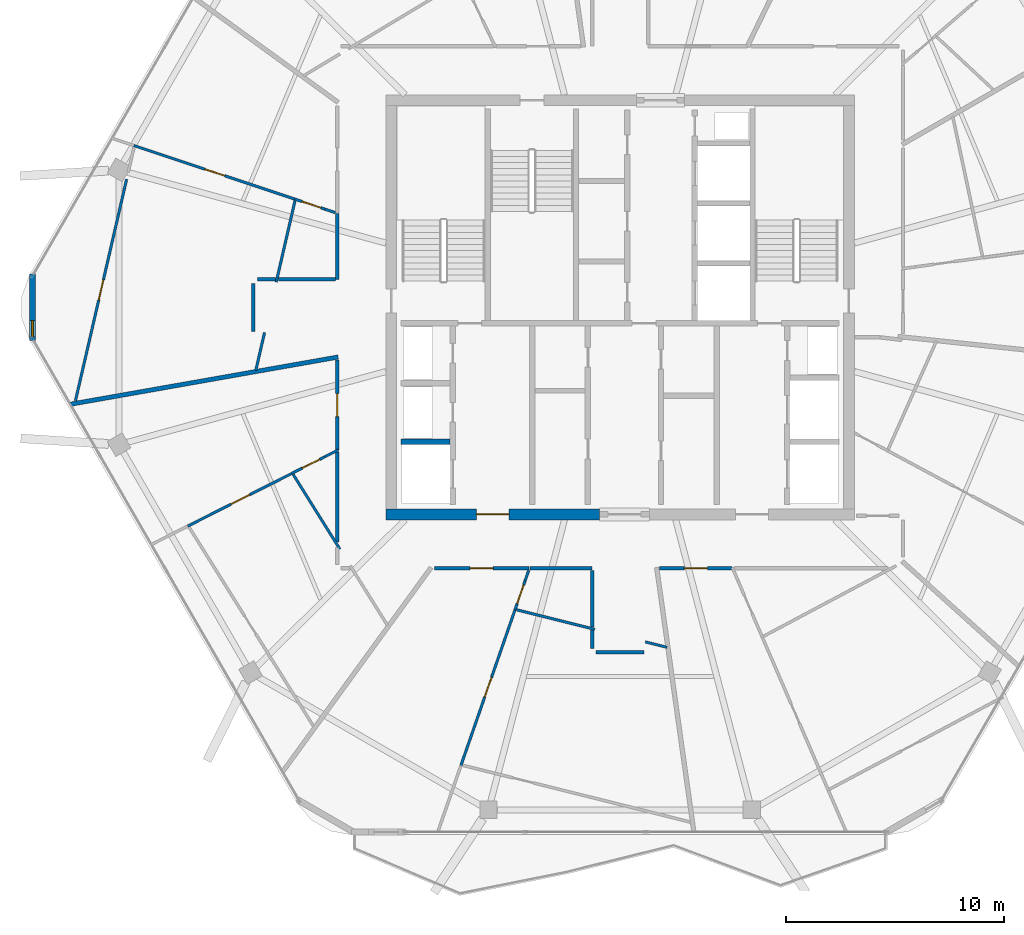
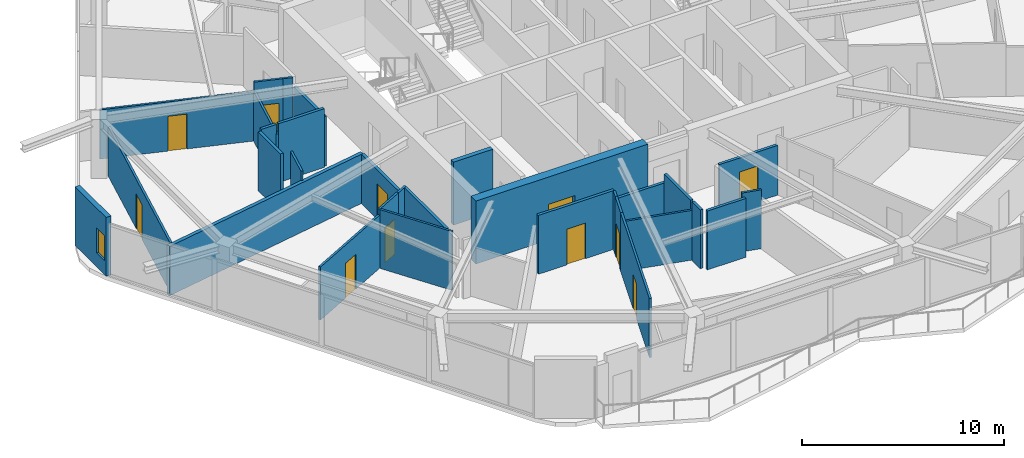
# One storey, part 14 of 20: 31 walls, 11 doors, 1 window, 12 openings.
"""IFC4 building model written with IfcOpenShell, lengths in metres."""

from ifc_helpers import new_model, si_unit, direction, frame, frame_2d, origin, place, context, subcontext, project, spatial, rectangle, extrude, material, layer, layer_set, type_object, element, fill, save


model = new_model("IFC4")

# Units and contexts
model_context = context("Model", 3, precision=1e-05, world=origin(), true_north=direction((0.0, 1.0)))
body_context = subcontext(model_context, "Body", "Model", "MODEL_VIEW")
ifc_project = project(units=[si_unit("LENGTHUNIT", "METRE"), si_unit("AREAUNIT", "SQUARE_METRE"), si_unit("VOLUMEUNIT", "CUBIC_METRE"), si_unit("PLANEANGLEUNIT", "RADIAN"), si_unit("MASSUNIT", "GRAM", prefix="KILO")], contexts=[model_context])

# Site, building, storey
site_placement = place(None, origin())
site = spatial("IfcSite", under=ifc_project, at=site_placement, CompositionType="ELEMENT")
building_placement = place(site_placement, origin())
building = spatial("IfcBuilding", under=site, at=building_placement, Name="Zuhravey Tower", CompositionType="ELEMENT")
storey_placement = place(building_placement, frame((0.0, 0.0, 312.0)))
storey = spatial("IfcBuildingStorey", under=building, at=storey_placement, Name="L79", CompositionType="ELEMENT", Elevation=312.0)

# Wall, opening, door
ifc_material_1 = material(Name="Concrete C50/60", Category="concrete")
ifc_layer_1 = layer(ifc_material_1, 0.5)
ifc_layer_set_1 = layer_set([ifc_layer_1], Name="Concrete C50/60")
wall_type_1 = type_object("IfcWallType", Name="Core Shear Wall 500", PredefinedType="SHEAR", material=ifc_layer_set_1)
wall_1_placement = place(storey_placement, frame((25.25, 22.5, 0.0), z_axis=(0.0, 0.0, 1.0), x_axis=(1.0, 0.0, 0.0)))
wall_1 = element("IfcWall", 1, at=wall_1_placement, inside=storey, type_object=wall_type_1, Name="L79 South-West Core Shear Wall CW50", PredefinedType="SHEAR", context=body_context, shape_type="SweptSolid", body=[
    extrude(rectangle(XDim=9.800048828125, YDim=0.5, at=frame_2d((4.89990234375, 0.0))), origin(), (0.0, 0.0, 1.0), 3.800048828125),
])
opening_1_placement = place(wall_1_placement, frame((4.14990234375, 0.0, 0.0)))
opening_1 = element("IfcOpeningElement", 2, at=opening_1_placement, cuts=wall_1, Name="Opening FFD1", PredefinedType="OPENING", context=body_context, shape_type="SweptSolid", body=[
    extrude(rectangle(XDim=1.5, YDim=2.14990234375, at=frame_2d((0.75, 1.074951171875))), frame((0.0, 0.261962890625, 0.0), z_axis=(0.0, -1.0, 0.0), x_axis=(1.0, 0.0, 0.0)), (0.0, 0.0, 1.0), 0.52392578125),
])
ifc_material_2 = material(Name="Galvanised fire-rated steel leaf", Category="steel")
door_type_1 = type_object("IfcDoorType", Name="Firefighting Lobby Double Door 1500x2150", OperationType="DOUBLE_DOOR_SINGLE_SWING", PredefinedType="DOOR", material=ifc_material_2)
door_1_placement = place(opening_1_placement, origin())
door_1 = element("IfcDoor", 3, at=door_1_placement, inside=storey, type_object=door_type_1, Name="L79 Firefighting Lobby West Door", OperationType="DOUBLE_DOOR_SINGLE_SWING", OverallHeight=2.14990234375, OverallWidth=1.5, PredefinedType="DOOR", context=body_context, shape_type="SweptSolid", body=[
    extrude(rectangle(XDim=1.5, YDim=2.14990234375, at=frame_2d((0.75, 1.074951171875))), frame((0.0, 0.02490234375, 0.0), z_axis=(0.0, -1.0, 0.0), x_axis=(1.0, 0.0, 0.0)), (0.0, 0.0, 1.0), 0.050048828125),
])
fill(opening_1, door_1)

ifc_material_3 = material(Name="Gypsum fire-rated stud partition")
ifc_layer_2 = layer(ifc_material_3, 0.159912109375)
ifc_layer_set_2 = layer_set([ifc_layer_2], Name="Gypsum fire-rated stud partition")
wall_type_2 = type_object("IfcWallType", Name="Corridor Fire Partition 160", PredefinedType="PARTITIONING", material=ifc_layer_set_2)
wall_2_placement = place(storey_placement, frame((23.02001953125, 29.573974609375, 0.0), z_axis=(0.0, 0.0, 1.0), x_axis=(0.0, -1.0, 0.0)))
wall_2 = element("IfcWall", 4, at=wall_2_placement, inside=storey, type_object=wall_type_2, Name="L79 IW16 Partition 031", PredefinedType="PARTITIONING", context=body_context, shape_type="SweptSolid", body=[
    extrude(rectangle(XDim=4.11962890625, YDim=0.159912109375, at=frame_2d((2.059814453125, 0.0))), origin(), (0.0, 0.0, 1.0), 3.0),
])
opening_2_placement = place(wall_2_placement, frame((1.534912109375, 0.0, 0.0)))
opening_2 = element("IfcOpeningElement", 5, at=opening_2_placement, cuts=wall_2, Name="Opening APD1", PredefinedType="OPENING", context=body_context, shape_type="SweptSolid", body=[
    extrude(rectangle(XDim=1.050048828125, YDim=2.14990234375, at=frame_2d((0.52490234375, 1.074951171875))), frame((0.0, 0.092041015625, 0.0), z_axis=(0.0, -1.0, 0.0), x_axis=(1.0, 0.0, 0.0)), (0.0, 0.0, 1.0), 0.183837890625),
])
ifc_material_4 = material(Name="Solid-core oak fire-rated leaf")
door_type_2 = type_object("IfcDoorType", Name="Apartment Entrance Fire Door 1050x2150", OperationType="NOTDEFINED", PredefinedType="DOOR", material=ifc_material_4)
door_2_placement = place(opening_2_placement, frame((1.050048828125, 0.0, 0.0), z_axis=(0.0, 0.0, 1.0), x_axis=(-1.0, 0.0, 0.0)))
door_2 = element("IfcDoor", 6, at=door_2_placement, inside=storey, type_object=door_type_2, Name="L79 Door 031.1", OperationType="SINGLE_SWING_LEFT", OverallHeight=2.14990234375, OverallWidth=1.050048828125, PredefinedType="DOOR", context=body_context, shape_type="SweptSolid", body=[
    extrude(rectangle(XDim=1.050048828125, YDim=2.14990234375, at=frame_2d((0.52490234375, 1.074951171875))), frame((0.0, 0.02490234375, 0.0), z_axis=(0.0, -1.0, 0.0), x_axis=(1.0, 0.0, 0.0)), (0.0, 0.0, 1.0), 0.050048828125),
])
fill(opening_2, door_2)

wall_3_placement = place(storey_placement, frame((27.479248046875, 20.02001953125, 0.0), z_axis=(0.0, 0.0, 1.0), x_axis=(1.0, 0.0, 0.0)))
wall_3 = element("IfcWall", 7, at=wall_3_placement, inside=storey, type_object=wall_type_2, Name="L79 IW16 Partition 035", PredefinedType="PARTITIONING", context=body_context, shape_type="SweptSolid", body=[
    extrude(rectangle(XDim=4.337158203125, YDim=0.159912109375, at=frame_2d((2.16845703125, 0.0))), origin(), (0.0, 0.0, 1.0), 3.550048828125),
])
opening_3_placement = place(wall_3_placement, frame((1.6435546875, 0.0, 0.0)))
opening_3 = element("IfcOpeningElement", 8, at=opening_3_placement, cuts=wall_3, Name="Opening APD1", PredefinedType="OPENING", context=body_context, shape_type="SweptSolid", body=[
    extrude(rectangle(XDim=1.050048828125, YDim=2.14990234375, at=frame_2d((0.52490234375, 1.074951171875))), frame((0.0, 0.092041015625, 0.0), z_axis=(0.0, -1.0, 0.0), x_axis=(1.0, 0.0, 0.0)), (0.0, 0.0, 1.0), 0.183837890625),
])
door_3_placement = place(opening_3_placement, frame((1.050048828125, 0.0, 0.0), z_axis=(0.0, 0.0, 1.0), x_axis=(-1.0, 0.0, 0.0)))
door_3 = element("IfcDoor", 9, at=door_3_placement, inside=storey, type_object=door_type_2, Name="L79 Door 035.1", OperationType="SINGLE_SWING_LEFT", OverallHeight=2.14990234375, OverallWidth=1.050048828125, PredefinedType="DOOR", context=body_context, shape_type="SweptSolid", body=[
    extrude(rectangle(XDim=1.050048828125, YDim=2.14990234375, at=frame_2d((0.52490234375, 1.074951171875))), frame((0.0, 0.02490234375, 0.0), z_axis=(0.0, -1.0, 0.0), x_axis=(1.0, 0.0, 0.0)), (0.0, 0.0, 1.0), 0.050048828125),
])
fill(opening_3, door_3)

wall_4_placement = place(storey_placement, frame((37.810546875, 20.02001953125, 0.0), z_axis=(0.0, 0.0, 1.0), x_axis=(1.0, 0.0, 0.0)))
wall_4 = element("IfcWall", 10, at=wall_4_placement, inside=storey, type_object=wall_type_2, Name="L79 IW16 Partition 039", PredefinedType="PARTITIONING", context=body_context, shape_type="SweptSolid", body=[
    extrude(rectangle(XDim=3.33203125, YDim=0.159912109375, at=frame_2d((1.666015625, 0.0))), origin(), (0.0, 0.0, 1.0), 3.0),
])
opening_4_placement = place(wall_4_placement, frame((1.14111328125, 0.0, 0.0)))
opening_4 = element("IfcOpeningElement", 11, at=opening_4_placement, cuts=wall_4, Name="Opening APD1", PredefinedType="OPENING", context=body_context, shape_type="SweptSolid", body=[
    extrude(rectangle(XDim=1.050048828125, YDim=2.14990234375, at=frame_2d((0.52490234375, 1.074951171875))), frame((0.0, 0.092041015625, 0.0), z_axis=(0.0, -1.0, 0.0), x_axis=(1.0, 0.0, 0.0)), (0.0, 0.0, 1.0), 0.183837890625),
])
door_4_placement = place(opening_4_placement, frame((1.050048828125, 0.0, 0.0), z_axis=(0.0, 0.0, 1.0), x_axis=(-1.0, 0.0, 0.0)))
door_4 = element("IfcDoor", 12, at=door_4_placement, inside=storey, type_object=door_type_2, Name="L79 Door 039.1", OperationType="SINGLE_SWING_LEFT", OverallHeight=2.14990234375, OverallWidth=1.050048828125, PredefinedType="DOOR", context=body_context, shape_type="SweptSolid", body=[
    extrude(rectangle(XDim=1.050048828125, YDim=2.14990234375, at=frame_2d((0.52490234375, 1.074951171875))), frame((0.0, 0.02490234375, 0.0), z_axis=(0.0, -1.0, 0.0), x_axis=(1.0, 0.0, 0.0)), (0.0, 0.0, 1.0), 0.050048828125),
])
fill(opening_4, door_4)

# Walls
wall_5_placement = place(storey_placement, frame((23.02001953125, 36.296875, 0.0), z_axis=(0.0, 0.0, 1.0), x_axis=(0.0, -1.0, 0.0)))
element("IfcWall", 13, at=wall_5_placement, inside=storey, type_object=wall_type_2, Name="L79 IW16 Partition 096", PredefinedType="PARTITIONING", context=body_context, shape_type="SweptSolid", body=[
    extrude(rectangle(XDim=3.016845703125, YDim=0.159912109375, at=frame_2d((1.50830078125, 0.0))), origin(), (0.0, 0.0, 1.0), 3.0),
])
wall_6_placement = place(storey_placement, frame((22.931884765625, 33.280029296875, 0.0), z_axis=(0.0, 0.0, 1.0), x_axis=(-1.0, 0.0, 0.0)))
element("IfcWall", 14, at=wall_6_placement, inside=storey, type_object=wall_type_2, Name="L79 IW16 Partition 097", PredefinedType="PARTITIONING", context=body_context, shape_type="SweptSolid", body=[
    extrude(rectangle(XDim=2.6142578125, YDim=0.159912109375, at=frame_2d((1.30712890625, 0.0))), origin(), (0.0, 0.0, 1.0), 3.550048828125),
])
wall_7_placement = place(storey_placement, frame((19.169921875, 33.10009765625, 0.0), z_axis=(0.0, 0.0, 1.0), x_axis=(0.0, -1.0, 0.0)))
element("IfcWall", 15, at=wall_7_placement, inside=storey, type_object=wall_type_2, Name="L79 IW16 Partition 098", PredefinedType="PARTITIONING", context=body_context, shape_type="SweptSolid", body=[
    extrude(rectangle(XDim=2.2001953125, YDim=0.159912109375, at=frame_2d((1.10009765625, 0.0))), origin(), (0.0, 0.0, 1.0), 3.550048828125),
])
wall_8_placement = place(storey_placement, frame((20.177978515625, 33.280029296875, 0.0), z_axis=(0.0, 0.0, 1.0), x_axis=(-1.0, 0.0, 0.0)))
element("IfcWall", 16, at=wall_8_placement, inside=storey, type_object=wall_type_2, Name="L79 IW16 Partition 099", PredefinedType="PARTITIONING", context=body_context, shape_type="SweptSolid", body=[
    extrude(rectangle(XDim=0.827880859375, YDim=0.159912109375, at=frame_2d((0.4140625, 0.0))), origin(), (0.0, 0.0, 1.0), 3.550048828125),
])
wall_9_placement = place(storey_placement, frame((23.02001953125, 25.355712890625, 0.0), z_axis=(0.0, 0.0, 1.0), x_axis=(0.0, -1.0, 0.0)))
element("IfcWall", 17, at=wall_9_placement, inside=storey, type_object=wall_type_2, Name="L79 IW16 Partition 100", PredefinedType="PARTITIONING", context=body_context, shape_type="SweptSolid", body=[
    extrude(rectangle(XDim=4.131103515625, YDim=0.159912109375, at=frame_2d((2.0654296875, 0.0))), origin(), (0.0, 0.0, 1.0), 3.550048828125),
])
wall_10_placement = place(storey_placement, frame((31.858642578125, 20.02001953125, 0.0), z_axis=(0.0, 0.0, 1.0), x_axis=(1.0, 0.0, 0.0)))
element("IfcWall", 18, at=wall_10_placement, inside=storey, type_object=wall_type_2, Name="L79 IW16 Partition 103", PredefinedType="PARTITIONING", context=body_context, shape_type="SweptSolid", body=[
    extrude(rectangle(XDim=2.861328125, YDim=0.159912109375, at=frame_2d((1.4306640625, 0.0))), origin(), (0.0, 0.0, 1.0), 3.0),
])
wall_11_placement = place(storey_placement, frame((34.719970703125, 19.931884765625, 0.0), z_axis=(0.0, 0.0, 1.0), x_axis=(0.0, -1.0, 0.0)))
element("IfcWall", 19, at=wall_11_placement, inside=storey, type_object=wall_type_2, Name="L79 IW16 Partition 104", PredefinedType="PARTITIONING", context=body_context, shape_type="SweptSolid", body=[
    extrude(rectangle(XDim=2.60693359375, YDim=0.159912109375, at=frame_2d((1.303466796875, 0.0))), origin(), (0.0, 0.0, 1.0), 3.550048828125),
])
wall_12_placement = place(storey_placement, frame((34.89990234375, 16.169921875, 0.0), z_axis=(0.0, 0.0, 1.0), x_axis=(1.0, 0.0, 0.0)))
element("IfcWall", 20, at=wall_12_placement, inside=storey, type_object=wall_type_2, Name="L79 IW16 Partition 105", PredefinedType="PARTITIONING", context=body_context, shape_type="SweptSolid", body=[
    extrude(rectangle(XDim=2.2001953125, YDim=0.159912109375, at=frame_2d((1.10009765625, 0.0))), origin(), (0.0, 0.0, 1.0), 3.550048828125),
])
wall_13_placement = place(storey_placement, frame((34.719970703125, 17.184814453125, 0.0), z_axis=(0.0, 0.0, 1.0), x_axis=(0.0, -1.0, 0.0)))
element("IfcWall", 21, at=wall_13_placement, inside=storey, type_object=wall_type_2, Name="L79 IW16 Partition 106", PredefinedType="PARTITIONING", context=body_context, shape_type="SweptSolid", body=[
    extrude(rectangle(XDim=0.834716796875, YDim=0.159912109375, at=frame_2d((0.41748046875, 0.0))), origin(), (0.0, 0.0, 1.0), 3.550048828125),
])

# Wall, opening, window
ifc_material_5 = material(Name="Precast concrete C40/50", Category="concrete")
ifc_layer_3 = layer(ifc_material_5, 0.280029296875)
ifc_layer_set_3 = layer_set([ifc_layer_3], Name="Precast concrete C40/50")
wall_type_3 = type_object("IfcWallType", Name="Crown Architectural Wall 280", PredefinedType="SOLIDWALL", material=ifc_layer_set_3)
wall_14_placement = place(storey_placement, frame((9.031494140625, 30.467529296875, 0.0), z_axis=(0.0, 0.0, 1.0), x_axis=(0.0, 1.0, 0.0)))
wall_14 = element("IfcWall", 22, at=wall_14_placement, inside=storey, type_object=wall_type_3, Name="L79 Rounded Corner Closure Wall EW28-06", PredefinedType="SOLIDWALL", context=body_context, shape_type="SweptSolid", body=[
    extrude(rectangle(XDim=3.06494140625, YDim=0.280029296875, at=frame_2d((1.532470703125, 0.0))), origin(), (0.0, 0.0, 1.0), 3.550048828125),
])
opening_5_placement = place(wall_14_placement, frame((0.1728515625, 0.0, 0.85009765625)))
opening_5 = element("IfcOpeningElement", 23, at=opening_5_placement, cuts=wall_14, Name="Opening WN5", PredefinedType="OPENING", context=body_context, shape_type="SweptSolid", body=[
    extrude(rectangle(XDim=0.75, YDim=1.5, at=frame_2d((0.375, 0.75))), frame((0.0, 0.152099609375, 0.0), z_axis=(0.0, -1.0, 0.0), x_axis=(1.0, 0.0, 0.0)), (0.0, 0.0, 1.0), 0.303955078125),
])
ifc_material_6 = material(Name="Thermally broken aluminium and triple low-E glass", Category="aluminium")
window_type = type_object("IfcWindowType", Name="Residential Corner Casement Window 750x1500", PartitioningType="SINGLE_PANEL", PredefinedType="WINDOW", material=ifc_material_6)
window_placement = place(opening_5_placement, origin())
window = element("IfcWindow", 24, at=window_placement, inside=storey, type_object=window_type, Name="L79 Corner Casement Window WN5-06.1", OverallHeight=1.5, OverallWidth=0.75, PartitioningType="SINGLE_PANEL", PredefinedType="WINDOW", context=body_context, shape_type="SweptSolid", body=[
    extrude(rectangle(XDim=0.75, YDim=1.5, at=frame_2d((0.375, 0.75))), frame((0.0, 0.030029296875, 0.0), z_axis=(0.0, -1.0, 0.0), x_axis=(1.0, 0.0, 0.0)), (0.0, 0.0, 1.0), 0.06005859375),
])
fill(opening_5, window)

# Walls
ifc_layer_4 = layer(ifc_material_1, 0.25)
ifc_layer_set_4 = layer_set([ifc_layer_4], Name="Concrete C50/60")
wall_type_4 = type_object("IfcWallType", Name="Firefighting Shaft & Stair Wall 250", PredefinedType="SOLIDWALL", material=ifc_layer_set_4)
wall_15_placement = place(storey_placement, frame((25.949951171875, 25.824951171875, 0.0), z_axis=(0.0, 0.0, 1.0), x_axis=(1.0, 0.0, 0.0)))
element("IfcWall", 25, at=wall_15_placement, inside=storey, type_object=wall_type_4, Name="L79 FW25 Shaft Wall 009", PredefinedType="SOLIDWALL", context=body_context, shape_type="SweptSolid", body=[
    extrude(rectangle(XDim=2.25, YDim=0.25, at=frame_2d((1.125, 0.0))), origin(), (0.0, 0.0, 1.0), 3.800048828125),
])
ifc_material_7 = material(Name="Gypsum double-stud party assembly")
ifc_layer_5 = layer(ifc_material_7, 0.199951171875)
ifc_layer_set_5 = layer_set([ifc_layer_5], Name="Gypsum double-stud party assembly")
wall_type_5 = type_object("IfcWallType", Name="Inter-Tenancy Party Wall 200", PredefinedType="PARTITIONING", material=ifc_layer_set_5)
wall_16_placement = place(storey_placement, frame((23.06005859375, 29.71826171875, 0.0), z_axis=(0.0, 0.0, 1.0), x_axis=(-0.984808757343, -0.173642481728, 0.0)))
element("IfcWall", 26, at=wall_16_placement, inside=storey, type_object=wall_type_5, Name="L79 IW20 Partition 069", PredefinedType="PARTITIONING", context=body_context, shape_type="SweptSolid", body=[
    extrude(rectangle(XDim=12.479736328125, YDim=0.199951171875, at=frame_2d((6.23974609375, 0.0))), origin(), (0.0, 0.0, 1.0), 2.969970703125),
])

# Wall, opening, door
ifc_material_8 = material(Name="Gypsum metal-stud partition")
ifc_layer_6 = layer(ifc_material_8, 0.1201171875)
ifc_layer_set_6 = layer_set([ifc_layer_6], Name="Gypsum metal-stud partition")
wall_type_6 = type_object("IfcWallType", Name="Unit Internal Partition 120", PredefinedType="PARTITIONING", material=ifc_layer_set_6)
wall_17_placement = place(storey_placement, frame((22.449951171875, 36.507568359375, 0.0), z_axis=(0.0, 0.0, 1.0), x_axis=(-0.94886823131, 0.315672424532, 0.0)))
wall_17 = element("IfcWall", 27, at=wall_17_placement, inside=storey, type_object=wall_type_6, Name="L79 IW12 Partition 024", PredefinedType="PARTITIONING", context=body_context, shape_type="SweptSolid", body=[
    extrude(rectangle(XDim=1.450927734375, YDim=0.1201171875, at=frame_2d((0.7255859375, 0.0))), origin(), (0.0, 0.0, 1.0), 3.550048828125),
])
opening_6_placement = place(wall_17_placement, frame((0.199951171875, 0.0, 0.0)))
opening_6 = element("IfcOpeningElement", 28, at=opening_6_placement, cuts=wall_17, Name="Opening WCD1", PredefinedType="OPENING", context=body_context, shape_type="SweptSolid", body=[
    extrude(rectangle(XDim=0.89990234375, YDim=2.10009765625, at=frame_2d((0.449951171875, 1.050048828125))), frame((0.0, 0.072021484375, 0.0), z_axis=(0.0, -1.0, 0.0), x_axis=(1.0, 0.0, 0.0)), (0.0, 0.0, 1.0), 0.14404296875),
])
ifc_material_9 = material(Name="Moisture-resistant timber leaf", Category="wood")
door_type_3 = type_object("IfcDoorType", Name="Bathroom & WC Internal Door 900x2100", OperationType="NOTDEFINED", PredefinedType="DOOR", material=ifc_material_9)
door_5_placement = place(opening_6_placement, origin())
door_5 = element("IfcDoor", 29, at=door_5_placement, inside=storey, type_object=door_type_3, Name="Apartment L79-02 Bathroom Door", OperationType="SINGLE_SWING_RIGHT", OverallHeight=2.10009765625, OverallWidth=0.89990234375, PredefinedType="DOOR", context=body_context, shape_type="SweptSolid", body=[
    extrude(rectangle(XDim=0.89990234375, YDim=2.10009765625, at=frame_2d((0.449951171875, 1.050048828125))), frame((0.0, 0.02490234375, 0.0), z_axis=(0.0, -1.0, 0.0), x_axis=(1.0, 0.0, 0.0)), (0.0, 0.0, 1.0), 0.050048828125),
])
fill(opening_6, door_5)

wall_18_placement = place(storey_placement, frame((21.0732421875, 36.965576171875, 0.0), z_axis=(0.0, 0.0, 1.0), x_axis=(-0.948883822728, 0.315625554995, 0.0)))
wall_18 = element("IfcWall", 30, at=wall_18_placement, inside=storey, type_object=wall_type_6, Name="L79 IW12 Partition 025", PredefinedType="PARTITIONING", context=body_context, shape_type="SweptSolid", body=[
    extrude(rectangle(XDim=7.78466796875, YDim=0.1201171875, at=frame_2d((3.892333984375, 0.0))), origin(), (0.0, 0.0, 1.0), 2.969970703125),
])
opening_7_placement = place(wall_18_placement, frame((3.39208984375, 0.0, 0.0)))
opening_7 = element("IfcOpeningElement", 31, at=opening_7_placement, cuts=wall_18, Name="Opening IND1", PredefinedType="OPENING", context=body_context, shape_type="SweptSolid", body=[
    extrude(rectangle(XDim=0.949951171875, YDim=2.10009765625, at=frame_2d((0.47509765625, 1.050048828125))), frame((0.0, 0.072021484375, 0.0), z_axis=(0.0, -1.0, 0.0), x_axis=(1.0, 0.0, 0.0)), (0.0, 0.0, 1.0), 0.14404296875),
])
ifc_material_10 = material(Name="Painted engineered timber leaf", Category="wood")
door_type_4 = type_object("IfcDoorType", Name="Internal Room & Bedroom Door 950x2100", OperationType="NOTDEFINED", PredefinedType="DOOR", material=ifc_material_10)
door_6_placement = place(opening_7_placement, origin())
door_6 = element("IfcDoor", 32, at=door_6_placement, inside=storey, type_object=door_type_4, Name="Apartment L79-02 Home Office Door", OperationType="SINGLE_SWING_LEFT", OverallHeight=2.10009765625, OverallWidth=0.949951171875, PredefinedType="DOOR", context=body_context, shape_type="SweptSolid", body=[
    extrude(rectangle(XDim=0.949951171875, YDim=2.10009765625, at=frame_2d((0.47509765625, 1.050048828125))), frame((0.0, 0.02490234375, 0.0), z_axis=(0.0, -1.0, 0.0), x_axis=(1.0, 0.0, 0.0)), (0.0, 0.0, 1.0), 0.050048828125),
])
fill(opening_7, door_6)

wall_19_placement = place(storey_placement, frame((13.3564453125, 37.88232421875, 0.0), z_axis=(0.0, 0.0, 1.0), x_axis=(-0.224948374829, -0.974370683396, 0.0)))
wall_19 = element("IfcWall", 33, at=wall_19_placement, inside=storey, type_object=wall_type_6, Name="L79 IW12 Partition 026", PredefinedType="PARTITIONING", context=body_context, shape_type="SweptSolid", body=[
    extrude(rectangle(XDim=10.43310546875, YDim=0.1201171875, at=frame_2d((5.216552734375, 0.0))), origin(), (0.0, 0.0, 1.0), 2.969970703125),
])
opening_8_placement = place(wall_19_placement, frame((4.74169921875, 0.0, 0.0)))
opening_8 = element("IfcOpeningElement", 34, at=opening_8_placement, cuts=wall_19, Name="Opening IND1", PredefinedType="OPENING", context=body_context, shape_type="SweptSolid", body=[
    extrude(rectangle(XDim=0.949951171875, YDim=2.10009765625, at=frame_2d((0.47509765625, 1.050048828125))), frame((0.0, 0.072021484375, 0.0), z_axis=(0.0, -1.0, 0.0), x_axis=(1.0, 0.0, 0.0)), (0.0, 0.0, 1.0), 0.14404296875),
])
door_7_placement = place(opening_8_placement, frame((0.949951171875, 0.0, 0.0), z_axis=(0.0, 0.0, 1.0), x_axis=(-1.0, 0.0, 0.0)))
door_7 = element("IfcDoor", 35, at=door_7_placement, inside=storey, type_object=door_type_4, Name="Apartment L79-02 Bedroom 1 Door", OperationType="SINGLE_SWING_RIGHT", OverallHeight=2.10009765625, OverallWidth=0.949951171875, PredefinedType="DOOR", context=body_context, shape_type="SweptSolid", body=[
    extrude(rectangle(XDim=0.949951171875, YDim=2.10009765625, at=frame_2d((0.47509765625, 1.050048828125))), frame((0.0, 0.02490234375, 0.0), z_axis=(0.0, -1.0, 0.0), x_axis=(1.0, 0.0, 0.0)), (0.0, 0.0, 1.0), 0.050048828125),
])
fill(opening_8, door_7)

wall_20_placement = place(storey_placement, frame((22.449951171875, 25.1435546875, 0.0), z_axis=(0.0, 0.0, 1.0), x_axis=(-0.892282910902, -0.451476695868, 0.0)))
wall_20 = element("IfcWall", 36, at=wall_20_placement, inside=storey, type_object=wall_type_6, Name="L79 IW12 Partition 028", PredefinedType="PARTITIONING", context=body_context, shape_type="SweptSolid", body=[
    extrude(rectangle(XDim=1.693115234375, YDim=0.1201171875, at=frame_2d((0.8466796875, 0.0))), origin(), (0.0, 0.0, 1.0), 3.550048828125),
])
opening_9_placement = place(wall_20_placement, frame((0.26123046875, 0.0, 0.0)))
opening_9 = element("IfcOpeningElement", 37, at=opening_9_placement, cuts=wall_20, Name="Opening WCD1", PredefinedType="OPENING", context=body_context, shape_type="SweptSolid", body=[
    extrude(rectangle(XDim=0.89990234375, YDim=2.10009765625, at=frame_2d((0.449951171875, 1.050048828125))), frame((0.0, 0.072021484375, 0.0), z_axis=(0.0, -1.0, 0.0), x_axis=(1.0, 0.0, 0.0)), (0.0, 0.0, 1.0), 0.14404296875),
])
door_8_placement = place(opening_9_placement, origin())
door_8 = element("IfcDoor", 38, at=door_8_placement, inside=storey, type_object=door_type_3, Name="Apartment L79-03 Bathroom Door", OperationType="SINGLE_SWING_RIGHT", OverallHeight=2.10009765625, OverallWidth=0.89990234375, PredefinedType="DOOR", context=body_context, shape_type="SweptSolid", body=[
    extrude(rectangle(XDim=0.89990234375, YDim=2.10009765625, at=frame_2d((0.449951171875, 1.050048828125))), frame((0.0, 0.02490234375, 0.0), z_axis=(0.0, -1.0, 0.0), x_axis=(1.0, 0.0, 0.0)), (0.0, 0.0, 1.0), 0.050048828125),
])
fill(opening_9, door_8)

wall_21_placement = place(storey_placement, frame((20.939208984375, 24.379150390625, 0.0), z_axis=(0.0, 0.0, 1.0), x_axis=(-0.892264822084, -0.451512444205, 0.0)))
wall_21 = element("IfcWall", 39, at=wall_21_placement, inside=storey, type_object=wall_type_6, Name="L79 IW12 Partition 029", PredefinedType="PARTITIONING", context=body_context, shape_type="SweptSolid", body=[
    extrude(rectangle(XDim=5.354736328125, YDim=0.1201171875, at=frame_2d((2.67724609375, 0.0))), origin(), (0.0, 0.0, 1.0), 3.199951171875),
])
opening_10_placement = place(wall_21_placement, frame((2.17724609375, 0.0, 0.0)))
opening_10 = element("IfcOpeningElement", 40, at=opening_10_placement, cuts=wall_21, Name="Opening IND1", PredefinedType="OPENING", context=body_context, shape_type="SweptSolid", body=[
    extrude(rectangle(XDim=0.949951171875, YDim=2.10009765625, at=frame_2d((0.47509765625, 1.050048828125))), frame((0.0, 0.072021484375, 0.0), z_axis=(0.0, -1.0, 0.0), x_axis=(1.0, 0.0, 0.0)), (0.0, 0.0, 1.0), 0.14404296875),
])
door_9_placement = place(opening_10_placement, origin())
door_9 = element("IfcDoor", 41, at=door_9_placement, inside=storey, type_object=door_type_4, Name="Apartment L79-03 Home Office Door", OperationType="SINGLE_SWING_LEFT", OverallHeight=2.10009765625, OverallWidth=0.949951171875, PredefinedType="DOOR", context=body_context, shape_type="SweptSolid", body=[
    extrude(rectangle(XDim=0.949951171875, YDim=2.10009765625, at=frame_2d((0.47509765625, 1.050048828125))), frame((0.0, 0.02490234375, 0.0), z_axis=(0.0, -1.0, 0.0), x_axis=(1.0, 0.0, 0.0)), (0.0, 0.0, 1.0), 0.050048828125),
])
fill(opening_10, door_9)

wall_22_placement = place(storey_placement, frame((31.639404296875, 19.449951171875, 0.0), z_axis=(0.0, 0.0, 1.0), x_axis=(-0.328259686912, -0.944587517358, 0.0)))
wall_22 = element("IfcWall", 42, at=wall_22_placement, inside=storey, type_object=wall_type_6, Name="L79 IW12 Partition 032", PredefinedType="PARTITIONING", context=body_context, shape_type="SweptSolid", body=[
    extrude(rectangle(XDim=1.415283203125, YDim=0.1201171875, at=frame_2d((0.70751953125, 0.0))), origin(), (0.0, 0.0, 1.0), 3.550048828125),
])
opening_11_placement = place(wall_22_placement, frame((0.199951171875, 0.0, 0.0)))
opening_11 = element("IfcOpeningElement", 43, at=opening_11_placement, cuts=wall_22, Name="Opening WCD1", PredefinedType="OPENING", context=body_context, shape_type="SweptSolid", body=[
    extrude(rectangle(XDim=0.89990234375, YDim=2.10009765625, at=frame_2d((0.449951171875, 1.050048828125))), frame((0.0, 0.072021484375, 0.0), z_axis=(0.0, -1.0, 0.0), x_axis=(1.0, 0.0, 0.0)), (0.0, 0.0, 1.0), 0.14404296875),
])
door_10_placement = place(opening_11_placement, origin())
door_10 = element("IfcDoor", 44, at=door_10_placement, inside=storey, type_object=door_type_3, Name="Apartment L79-04 Bathroom Door", OperationType="SINGLE_SWING_RIGHT", OverallHeight=2.10009765625, OverallWidth=0.89990234375, PredefinedType="DOOR", context=body_context, shape_type="SweptSolid", body=[
    extrude(rectangle(XDim=0.89990234375, YDim=2.10009765625, at=frame_2d((0.449951171875, 1.050048828125))), frame((0.0, 0.02490234375, 0.0), z_axis=(0.0, -1.0, 0.0), x_axis=(1.0, 0.0, 0.0)), (0.0, 0.0, 1.0), 0.050048828125),
])
fill(opening_11, door_10)

wall_23_placement = place(storey_placement, frame((31.175048828125, 18.113037109375, 0.0), z_axis=(0.0, 0.0, 1.0), x_axis=(-0.32822845585, -0.944598370087, 0.0)))
wall_23 = element("IfcWall", 45, at=wall_23_placement, inside=storey, type_object=wall_type_6, Name="L79 IW12 Partition 033", PredefinedType="PARTITIONING", context=body_context, shape_type="SweptSolid", body=[
    extrude(rectangle(XDim=7.552001953125, YDim=0.1201171875, at=frame_2d((3.77587890625, 0.0))), origin(), (0.0, 0.0, 1.0), 3.550048828125),
])
opening_12_placement = place(wall_23_placement, frame((3.27587890625, 0.0, 0.0)))
opening_12 = element("IfcOpeningElement", 46, at=opening_12_placement, cuts=wall_23, Name="Opening IND1", PredefinedType="OPENING", context=body_context, shape_type="SweptSolid", body=[
    extrude(rectangle(XDim=0.949951171875, YDim=2.10009765625, at=frame_2d((0.47509765625, 1.050048828125))), frame((0.0, 0.072021484375, 0.0), z_axis=(0.0, -1.0, 0.0), x_axis=(1.0, 0.0, 0.0)), (0.0, 0.0, 1.0), 0.14404296875),
])
door_11_placement = place(opening_12_placement, origin())
door_11 = element("IfcDoor", 47, at=door_11_placement, inside=storey, type_object=door_type_4, Name="Apartment L79-04 Home Office Door", OperationType="SINGLE_SWING_LEFT", OverallHeight=2.10009765625, OverallWidth=0.949951171875, PredefinedType="DOOR", context=body_context, shape_type="SweptSolid", body=[
    extrude(rectangle(XDim=0.949951171875, YDim=2.10009765625, at=frame_2d((0.47509765625, 1.050048828125))), frame((0.0, 0.02490234375, 0.0), z_axis=(0.0, -1.0, 0.0), x_axis=(1.0, 0.0, 0.0)), (0.0, 0.0, 1.0), 0.050048828125),
])
fill(opening_12, door_11)

# Walls
wall_24_placement = place(storey_placement, frame((22.931884765625, 36.34716796875, 0.0), z_axis=(0.0, 0.0, 1.0), x_axis=(-0.948827398112, 0.315795137062, 0.0)))
element("IfcWall", 48, at=wall_24_placement, inside=storey, type_object=wall_type_6, Name="L79 IW12 Partition 064", PredefinedType="PARTITIONING", context=body_context, shape_type="SweptSolid", body=[
    extrude(rectangle(XDim=0.5078125, YDim=0.1201171875, at=frame_2d((0.25390625, 0.0))), origin(), (0.0, 0.0, 1.0), 3.550048828125),
])
wall_25_placement = place(storey_placement, frame((21.08154296875, 36.89111328125, 0.0), z_axis=(0.0, 0.0, 1.0), x_axis=(-0.224929350613, -0.974375075232, 0.0)))
element("IfcWall", 49, at=wall_25_placement, inside=storey, type_object=wall_type_6, Name="L79 IW12 Partition 066", PredefinedType="PARTITIONING", context=body_context, shape_type="SweptSolid", body=[
    extrude(rectangle(XDim=3.829345703125, YDim=0.1201171875, at=frame_2d((1.91455078125, 0.0))), origin(), (0.0, 0.0, 1.0), 3.0),
])
wall_26_placement = place(storey_placement, frame((19.6845703125, 30.840087890625, 0.0), z_axis=(0.0, 0.0, 1.0), x_axis=(-0.22491945774, -0.974377358896, 0.0)))
element("IfcWall", 50, at=wall_26_placement, inside=storey, type_object=wall_type_6, Name="L79 IW12 Partition 067", PredefinedType="PARTITIONING", context=body_context, shape_type="SweptSolid", body=[
    extrude(rectangle(XDim=1.784423828125, YDim=0.1201171875, at=frame_2d((0.89208984375, 0.0))), origin(), (0.0, 0.0, 1.0), 3.550048828125),
])
wall_27_placement = place(storey_placement, frame((23.062255859375, 25.453369140625, 0.0), z_axis=(0.0, 0.0, 1.0), x_axis=(-0.892282355031, -0.451477794471, 0.0)))
element("IfcWall", 51, at=wall_27_placement, inside=storey, type_object=wall_type_6, Name="L79 IW12 Partition 070", PredefinedType="PARTITIONING", context=body_context, shape_type="SweptSolid", body=[
    extrude(rectangle(XDim=0.686279296875, YDim=0.1201171875, at=frame_2d((0.34326171875, 0.0))), origin(), (0.0, 0.0, 1.0), 3.550048828125),
])
wall_28_placement = place(storey_placement, frame((20.997802734375, 24.33251953125, 0.0), z_axis=(0.0, 0.0, 1.0), x_axis=(0.529874080143, -0.848076328636, 0.0)))
element("IfcWall", 52, at=wall_28_placement, inside=storey, type_object=wall_type_6, Name="L79 IW12 Partition 072", PredefinedType="PARTITIONING", context=body_context, shape_type="SweptSolid", body=[
    extrude(rectangle(XDim=4.042724609375, YDim=0.1201171875, at=frame_2d((2.021484375, 0.0))), origin(), (0.0, 0.0, 1.0), 3.550048828125),
])
wall_29_placement = place(storey_placement, frame((31.806884765625, 19.931884765625, 0.0), z_axis=(0.0, 0.0, 1.0), x_axis=(-0.328260778463, -0.944587138025, 0.0)))
element("IfcWall", 53, at=wall_29_placement, inside=storey, type_object=wall_type_6, Name="L79 IW12 Partition 075", PredefinedType="PARTITIONING", context=body_context, shape_type="SweptSolid", body=[
    extrude(rectangle(XDim=0.51025390625, YDim=0.1201171875, at=frame_2d((0.255126953125, 0.0))), origin(), (0.0, 0.0, 1.0), 3.550048828125),
])
wall_30_placement = place(storey_placement, frame((31.249267578125, 18.1201171875, 0.0), z_axis=(0.0, 0.0, 1.0), x_axis=(0.970297526706, -0.241914674356, 0.0)))
element("IfcWall", 54, at=wall_30_placement, inside=storey, type_object=wall_type_6, Name="L79 IW12 Partition 077", PredefinedType="PARTITIONING", context=body_context, shape_type="SweptSolid", body=[
    extrude(rectangle(XDim=3.70068359375, YDim=0.1201171875, at=frame_2d((1.850341796875, 0.0))), origin(), (0.0, 0.0, 1.0), 3.0),
])
wall_31_placement = place(storey_placement, frame((37.159912109375, 16.646484375, 0.0), z_axis=(0.0, 0.0, 1.0), x_axis=(0.970296375277, -0.241919292584, 0.0)))
element("IfcWall", 55, at=wall_31_placement, inside=storey, type_object=wall_type_6, Name="L79 IW12 Partition 078", PredefinedType="PARTITIONING", context=body_context, shape_type="SweptSolid", body=[
    extrude(rectangle(XDim=1.025390625, YDim=0.1201171875, at=frame_2d((0.5126953125, 0.0))), origin(), (0.0, 0.0, 1.0), 3.550048828125),
])

save(model, "model.ifc")
